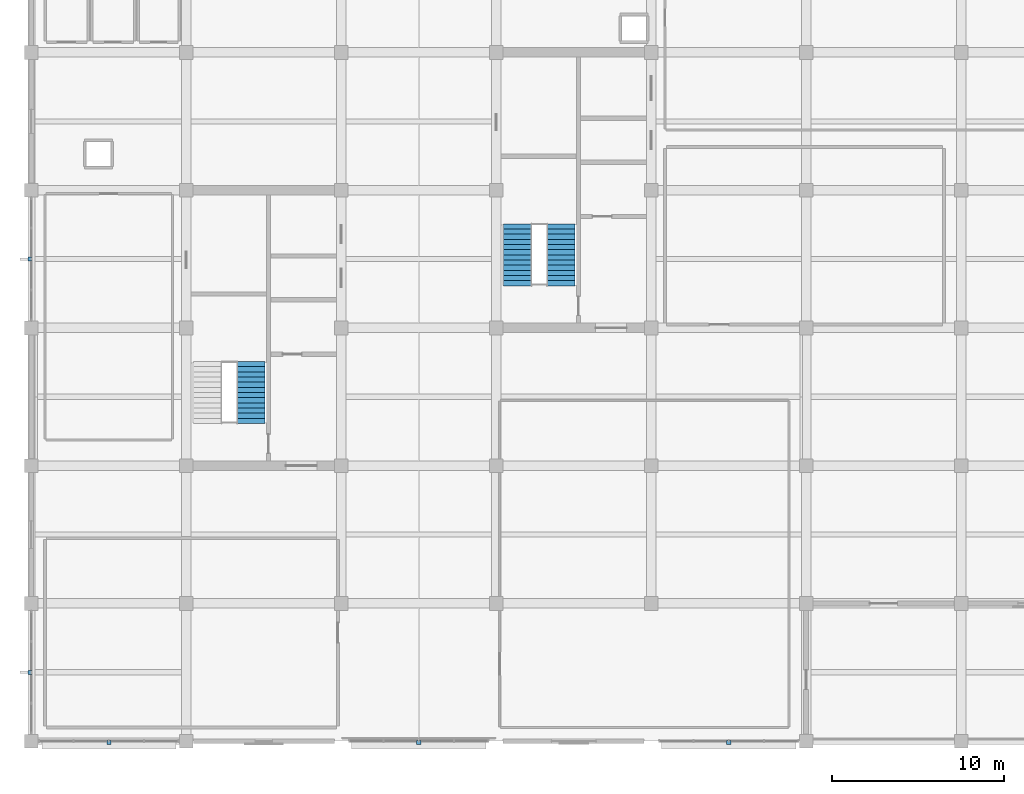
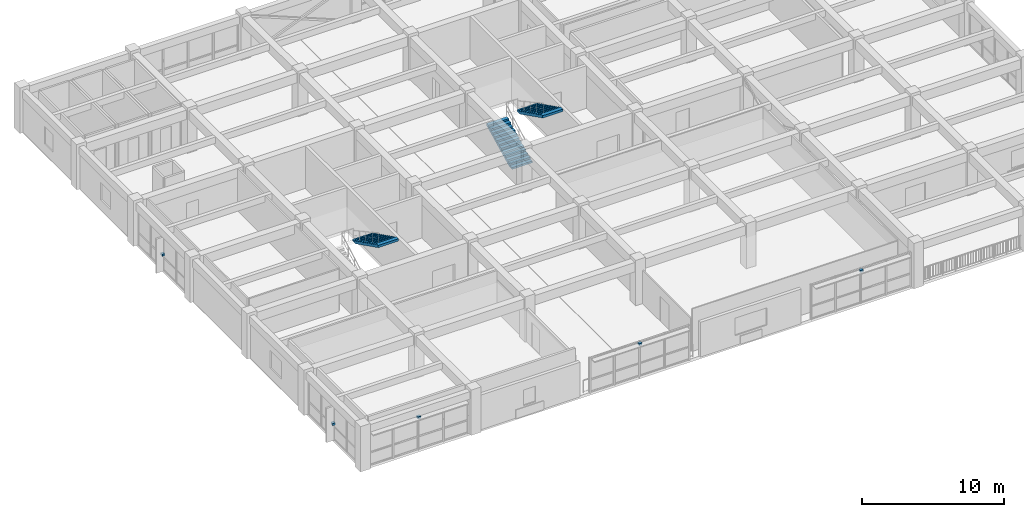
# One storey, part 15 of 17: 5 discrete accessories, 3 stair flights, 2 elements without a shape of their own.
"""IFC4 building model written with IfcOpenShell, lengths in metres."""

import ifcopenshell
import ifcopenshell.guid

model = None  # the IFC model being written
_history = None  # IfcOwnerHistory: only IFC2X3 demands one
_inside = {}  # id of a spatial element -> (the spatial element, [elements in it])
_under = {}  # id of a project, library or spatial element -> (it, [spatial elements below it])
_declared = {}  # id of a project -> (the project, [libraries it declares])
_typed = {}  # id of a type object -> (the type object, [elements of that type])
_made_of = {}  # id of a material, layer set ... -> (it, [elements and type objects made of it])


def new_model(schema):
    """Start an empty IFC model of exactly this schema.

    Asked for "IFC4X3", IfcOpenShell would pick the latest addendum, in which some entities
    have other attributes; the version numbers below select the first issue.
    IFC2X3 requires an IfcOwnerHistory on every rooted entity: one is made here for all.
    """
    global model, _history
    if schema == "IFC4X3":
        model = ifcopenshell.file(schema_version=(4, 3, 0, 0))
    else:
        model = ifcopenshell.file(schema=schema)
    _inside.clear()
    _under.clear()
    _declared.clear()
    _typed.clear()
    _made_of.clear()
    _history = None
    if model.schema == "IFC2X3":
        org = make("IfcOrganization", Name="unknown")
        user = make(
            "IfcPersonAndOrganization",
            ThePerson=make("IfcPerson", FamilyName="unknown"),
            TheOrganization=org,
        )
        app = make(
            "IfcApplication",
            ApplicationDeveloper=org,
            Version="unknown",
            ApplicationFullName="unknown",
            ApplicationIdentifier="unknown",
        )
        _history = make(
            "IfcOwnerHistory",
            OwningUser=user,
            OwningApplication=app,
            ChangeAction="ADDED",
            CreationDate=0,
        )
    return model


def make(cls, **values):
    """One entity of the class cls with the attributes given. An attribute that is None is left unset."""
    return model.create_entity(
        cls, **{name: value for name, value in values.items() if value is not None}
    )


def rooted(cls, **values):
    """An entity with a GlobalId (a new one), such as an element, a storey or a relation."""
    return make(cls, GlobalId=ifcopenshell.guid.new(), OwnerHistory=_history, **values)


def si_unit(unit_type, name, prefix=None):
    """IfcSIUnit, for example si_unit("LENGTHUNIT", "METRE", prefix="MILLI")."""
    return make("IfcSIUnit", UnitType=unit_type, Prefix=prefix, Name=name)


def assignment(units):
    """IfcUnitAssignment: the units of a project."""
    return None if units is None else make("IfcUnitAssignment", Units=units)


def point(xyz):
    """IfcCartesianPoint."""
    return None if xyz is None else make("IfcCartesianPoint", Coordinates=xyz)


def direction(xyz):
    """IfcDirection."""
    return None if xyz is None else make("IfcDirection", DirectionRatios=xyz)


def frame(location, z_axis=None, x_axis=None):
    """IfcAxis2Placement3D, a coordinate frame: its origin and axes. An axis left out is left unset."""
    return make(
        "IfcAxis2Placement3D",
        Location=point(location),
        Axis=direction(z_axis),
        RefDirection=direction(x_axis),
    )


def frame_2d(location, x_axis=None):
    """IfcAxis2Placement2D, a coordinate frame in the plane: its origin and x axis."""
    return make(
        "IfcAxis2Placement2D", Location=point(location), RefDirection=direction(x_axis)
    )


def origin():
    """The frame at (0, 0, 0) with its axes left unset."""
    return frame((0.0, 0.0, 0.0))


def origin_2d():
    """The frame at (0, 0) in the plane with its x axis left unset."""
    return frame_2d((0.0, 0.0))


def place(relative_to, where):
    """IfcLocalPlacement: puts the frame where relative to a parent placement (None: the world)."""
    return make(
        "IfcLocalPlacement", PlacementRelTo=relative_to, RelativePlacement=where
    )


def context(
    kind, dimensions, precision=None, world=None, true_north=None, identifier=None
):
    """IfcGeometricRepresentationContext, for example the 3D "Model" context."""
    return make(
        "IfcGeometricRepresentationContext",
        ContextIdentifier=identifier,
        ContextType=kind,
        CoordinateSpaceDimension=dimensions,
        Precision=precision,
        WorldCoordinateSystem=world,
        TrueNorth=true_north,
    )


def subcontext(parent, identifier, kind, view, scale=None):
    """IfcGeometricRepresentationSubContext, for example "Body" below "Model"."""
    return make(
        "IfcGeometricRepresentationSubContext",
        ContextIdentifier=identifier,
        ContextType=kind,
        ParentContext=parent,
        TargetScale=scale,
        TargetView=view,
    )


def project(units=None, contexts=None):
    """IfcProject with its units and contexts."""
    return rooted(
        "IfcProject",
        Name="project",
        RepresentationContexts=contexts,
        UnitsInContext=assignment(units),
    )


def spatial(cls, under=None, at=None, **own):
    """A site, building, storey or space (cls), placed at a placement, below another one or the project."""
    s = rooted(cls, ObjectPlacement=at, **own)
    if under is not None:
        _under.setdefault(under.id(), (under, []))[1].append(s)
    return s


def polyline(points):
    """IfcPolyline through the points."""
    return make("IfcPolyline", Points=[point(p) for p in points])


def profile(cls, at=None, kind="AREA", **sizes):
    """A parametric profile (cls). Its sizes go by their IFC names, for example OverallWidth=200.0."""
    return make(cls, ProfileType=kind, Position=at, **sizes)


def rectangle(**sizes):
    """IfcRectangleProfileDef."""
    return profile("IfcRectangleProfileDef", **sizes)


def outline(outer, holes=None, kind="AREA"):
    """IfcArbitraryClosedProfileDef: a profile drawn as a closed curve; with holes, ...WithVoids."""
    if holes is None:
        return make("IfcArbitraryClosedProfileDef", ProfileType=kind, OuterCurve=outer)
    return make(
        "IfcArbitraryProfileDefWithVoids",
        ProfileType=kind,
        OuterCurve=outer,
        InnerCurves=holes,
    )


def extrude(swept, where, along, depth):
    """IfcExtrudedAreaSolid: the profile swept, set in the frame where, extruded along a direction by depth."""
    return make(
        "IfcExtrudedAreaSolid",
        SweptArea=swept,
        Position=where,
        ExtrudedDirection=direction(along),
        Depth=depth,
    )


def shape(context_of_items, identifier, shape_type, items):
    """IfcShapeRepresentation: the items that make up one representation, for example the "Body"."""
    return make(
        "IfcShapeRepresentation",
        ContextOfItems=context_of_items,
        RepresentationIdentifier=identifier,
        RepresentationType=shape_type,
        Items=items,
    )


def material(Name=None, Category=None):
    """IfcMaterial."""
    return make("IfcMaterial", Name=Name, Category=Category)


def layer(
    of_material, thickness, ventilated=None, Name=None, Category=None, Priority=None
):
    """IfcMaterialLayer: one layer of a wall or slab, of a material (None: an air gap)."""
    return make(
        "IfcMaterialLayer",
        Material=of_material,
        LayerThickness=thickness,
        IsVentilated=ventilated,
        Name=Name,
        Category=Category,
        Priority=Priority,
    )


def layer_set(layers, Name=None):
    """IfcMaterialLayerSet."""
    return make("IfcMaterialLayerSet", MaterialLayers=layers, LayerSetName=Name)


def made_of(thing, what):
    """Note that an element or type object is made of a material, layer set ...; save() writes the relation."""
    if what is not None:
        _made_of.setdefault(what.id(), (what, []))[1].append(thing)
    return thing


def type_object(cls, material=None, **own):
    """A type object (cls), such as IfcWallType, which elements share."""
    return made_of(rooted(cls, **own), material)


def element(
    cls,
    number,
    at=None,
    inside=None,
    cuts=None,
    type_object=None,
    material=None,
    context=None,
    identifier="Body",
    shape_type=None,
    held_by="IfcProductDefinitionShape",
    body=None,
    shapes=None,
    **own,
):
    """One element of the class cls, such as IfcWall. Its Tag is "e" and its number.

    at: its placement. inside: the storey or other place that contains it. cuts: it is an
    opening in that element (IfcRelVoidsElement). A single representation is given by context,
    identifier, shape_type and body (its items); several are given by shapes. held_by: the class
    of the entity that holds the representations. save() writes the other relations.
    """
    e = rooted(cls, Tag="e%d" % number, ObjectPlacement=at, **own)
    if body is not None:
        shapes = [shape(context, identifier, shape_type, body)]
    if shapes is not None:
        e.Representation = make(held_by, Representations=shapes)
    if inside is not None:
        _inside.setdefault(inside.id(), (inside, []))[1].append(e)
    if cuts is not None:
        rooted(
            "IfcRelVoidsElement", RelatingBuildingElement=cuts, RelatedOpeningElement=e
        )
    if type_object is not None:
        _typed.setdefault(type_object.id(), (type_object, []))[1].append(e)
    return made_of(e, material)


def aggregate(whole, parts):
    """IfcRelAggregates: a whole, such as a stair, and the parts it consists of."""
    return rooted("IfcRelAggregates", RelatingObject=whole, RelatedObjects=parts)


def save(model, path):
    """Write the relations noted so far, then the file.

    IfcRelAggregates (storeys below a building ...), IfcRelContainedInSpatialStructure (elements
    in a storey), IfcRelDefinesByType, IfcRelAssociatesMaterial and IfcRelDeclares: one each for
    every whole, place, type object, material and project.
    """
    for whole, parts in _under.values():
        aggregate(whole, parts)
    for where, things in _inside.values():
        rooted(
            "IfcRelContainedInSpatialStructure",
            RelatedElements=things,
            RelatingStructure=where,
        )
    for kind, things in _typed.values():
        rooted("IfcRelDefinesByType", RelatedObjects=things, RelatingType=kind)
    for what, things in _made_of.values():
        rooted("IfcRelAssociatesMaterial", RelatedObjects=things, RelatingMaterial=what)
    for by, libraries in _declared.values():
        rooted("IfcRelDeclares", RelatingContext=by, RelatedDefinitions=libraries)
    model.write(path)


model = new_model("IFC4")

# Units and contexts
model_context = context("Model", 3, precision=1e-05, world=origin(), true_north=direction((0.0, 1.0)))
body_context = subcontext(model_context, "Body", "Model", "MODEL_VIEW")
ifc_project = project(units=[si_unit("LENGTHUNIT", "METRE"), si_unit("AREAUNIT", "SQUARE_METRE"), si_unit("VOLUMEUNIT", "CUBIC_METRE"), si_unit("PLANEANGLEUNIT", "RADIAN"), si_unit("MASSUNIT", "GRAM", prefix="KILO")], contexts=[model_context])

# Site, building, storey
site_placement = place(None, origin())
site = spatial("IfcSite", under=ifc_project, at=site_placement, CompositionType="ELEMENT")
building_placement = place(site_placement, origin())
building = spatial("IfcBuilding", under=site, at=building_placement, Name="Zaverband Oceanarium and Marine Research Institute", CompositionType="ELEMENT")
storey_placement = place(building_placement, frame((0.0, 0.0, 33.60009765625)))
storey = spatial("IfcBuildingStorey", under=building, at=storey_placement, Name="L08", CompositionType="ELEMENT", Elevation=33.60009765625)

# Stair, stair flight
ifc_material_1 = material(Name="Concrete C40/50", Category="concrete")
stair_type = type_object("IfcStairType", Name="STR-TWR-1650-3900", PredefinedType="HALF_TURN_STAIR", material=ifc_material_1)
stair_1_placement = place(storey_placement, origin())
stair_1 = element("IfcStair", 1, at=stair_1_placement, inside=storey, type_object=stair_type, Name="Exit Stair ST-01 (L08)", PredefinedType="HALF_TURN_STAIR")
stair_flight_type = type_object("IfcStairFlightType", Name="STR-TWR-1650-3900-FL", PredefinedType="STRAIGHT", material=ifc_material_1)
stair_flight_1_placement = place(storey_placement, frame((21.7451171875, 86.050048828125, 1.949951171875), z_axis=(0.0, 0.0, 1.0), x_axis=(0.0, -1.0, 0.0)))
stair_flight_1 = element("IfcStairFlight", 2, at=stair_flight_1_placement, type_object=stair_flight_type, Name="Reinforced concrete stair flight ST-01-F2", NumberOfRisers=13, NumberOfTreads=12, PredefinedType="STRAIGHT", RiserHeight=0.15, TreadLength=0.3, context=body_context, shape_type="SweptSolid", body=[
    extrude(outline(polyline([(0.0, 0.0), (0.0, 0.14990234375), (0.300048828125, 0.14990234375), (0.300048828125, 0.300048828125), (0.60009765625, 0.300048828125), (0.60009765625, 0.449951171875), (0.89990234375, 0.449951171875), (0.89990234375, 0.60009765625), (1.199951171875, 0.60009765625), (1.199951171875, 0.75), (1.5, 0.75), (1.5, 0.89990234375), (1.800048828125, 0.89990234375), (1.800048828125, 1.050048828125), (2.10009765625, 1.050048828125), (2.10009765625, 1.199951171875), (2.39990234375, 1.199951171875), (2.39990234375, 1.35009765625), (2.699951171875, 1.35009765625), (2.699951171875, 1.5), (3.0, 1.5), (3.0, 1.64990234375), (3.300048828125, 1.64990234375), (3.300048828125, 1.800048828125), (3.60009765625, 1.800048828125), (3.60009765625, 1.949951171875), (3.60009765625, 1.598876953125), (0.40234375, 0.0), (0.0, 0.0)])), frame((0.0, 0.824951171875, 0.0), z_axis=(0.0, -1.0, 0.0), x_axis=(1.0, 0.0, 0.0)), (0.0, 0.0, 1.0), 1.64990234375),
])
aggregate(stair_1, [stair_flight_1])

# Stair, stair flights
stair_2_placement = place(storey_placement, origin())
stair_2 = element("IfcStair", 3, at=stair_2_placement, inside=storey, type_object=stair_type, Name="Exit Stair ST-02 (L08)", PredefinedType="HALF_TURN_STAIR")
stair_flight_2_placement = place(storey_placement, frame((37.2548828125, 90.449951171875, 0.0), z_axis=(0.0, 0.0, 1.0), x_axis=(0.0, 1.0, 0.0)))
stair_flight_2 = element("IfcStairFlight", 4, at=stair_flight_2_placement, type_object=stair_flight_type, Name="Reinforced concrete stair flight ST-02-F1", NumberOfRisers=13, NumberOfTreads=12, PredefinedType="STRAIGHT", RiserHeight=0.15, TreadLength=0.3, context=body_context, shape_type="SweptSolid", body=[
    extrude(outline(polyline([(0.0, 0.0), (0.0, 0.14990234375), (0.300048828125, 0.14990234375), (0.300048828125, 0.300048828125), (0.60009765625, 0.300048828125), (0.60009765625, 0.449951171875), (0.89990234375, 0.449951171875), (0.89990234375, 0.60009765625), (1.199951171875, 0.60009765625), (1.199951171875, 0.75), (1.5, 0.75), (1.5, 0.89990234375), (1.800048828125, 0.89990234375), (1.800048828125, 1.050048828125), (2.10009765625, 1.050048828125), (2.10009765625, 1.199951171875), (2.39990234375, 1.199951171875), (2.39990234375, 1.35009765625), (2.699951171875, 1.35009765625), (2.699951171875, 1.5), (3.0, 1.5), (3.0, 1.64990234375), (3.300048828125, 1.64990234375), (3.300048828125, 1.800048828125), (3.60009765625, 1.800048828125), (3.60009765625, 1.949951171875), (3.60009765625, 1.598876953125), (0.40234375, 0.0), (0.0, 0.0)])), frame((0.0, 0.824951171875, 0.0), z_axis=(0.0, -1.0, 0.0), x_axis=(1.0, 0.0, 0.0)), (0.0, 0.0, 1.0), 1.64990234375),
])
stair_flight_3_placement = place(storey_placement, frame((39.7451171875, 94.050048828125, 1.949951171875), z_axis=(0.0, 0.0, 1.0), x_axis=(0.0, -1.0, 0.0)))
stair_flight_3 = element("IfcStairFlight", 5, at=stair_flight_3_placement, type_object=stair_flight_type, Name="Reinforced concrete stair flight ST-02-F2", NumberOfRisers=13, NumberOfTreads=12, PredefinedType="STRAIGHT", RiserHeight=0.15, TreadLength=0.3, context=body_context, shape_type="SweptSolid", body=[
    extrude(outline(polyline([(0.0, 0.0), (0.0, 0.14990234375), (0.300048828125, 0.14990234375), (0.300048828125, 0.300048828125), (0.60009765625, 0.300048828125), (0.60009765625, 0.449951171875), (0.89990234375, 0.449951171875), (0.89990234375, 0.60009765625), (1.199951171875, 0.60009765625), (1.199951171875, 0.75), (1.5, 0.75), (1.5, 0.89990234375), (1.800048828125, 0.89990234375), (1.800048828125, 1.050048828125), (2.10009765625, 1.050048828125), (2.10009765625, 1.199951171875), (2.39990234375, 1.199951171875), (2.39990234375, 1.35009765625), (2.699951171875, 1.35009765625), (2.699951171875, 1.5), (3.0, 1.5), (3.0, 1.64990234375), (3.300048828125, 1.64990234375), (3.300048828125, 1.800048828125), (3.60009765625, 1.800048828125), (3.60009765625, 1.949951171875), (3.60009765625, 1.598876953125), (0.40234375, 0.0), (0.0, 0.0)])), frame((0.0, 0.824951171875, 0.0), z_axis=(0.0, -1.0, 0.0), x_axis=(1.0, 0.0, 0.0)), (0.0, 0.0, 1.0), 1.64990234375),
])
aggregate(stair_2, [stair_flight_2, stair_flight_3])

# Discrete accessories
ifc_material_2 = material(Name="Steel S355", Category="steel")
ifc_layer = layer(ifc_material_2, 0.179931640625, Name="Steel S355")
ifc_layer_set = layer_set([ifc_layer], Name="Steel S355")
discrete_accessory_type = type_object("IfcDiscreteAccessoryType", Name="BRK-STL-200", PredefinedType="BRACKET", material=ifc_layer_set)
for number, where, z_axis, x_axis, name in (
    (6, (13.5, 63.919921875, 2.75), (0.0, 0.0, 1.0), (1.0, 0.0, 0.0), "Galvanized steel facade fin structural bracket BRK-STL-200"),
    (7, (31.5, 63.919921875, 2.75), (0.0, 0.0, 1.0), (1.0, 0.0, 0.0), "Galvanized steel facade fin structural bracket BRK-STL-200"),
    (8, (49.5, 63.919921875, 2.75), (0.0, 0.0, 1.0), (1.0, 0.0, 0.0), "Galvanized steel facade fin structural bracket BRK-STL-200"),
    (9, (8.919921875, 68.0, 1.31982421875), (0.0, 0.0, 1.0), (1.0, 0.0, 0.0), "Galvanized steel facade fin structural bracket BRK-STL-200"),
    (10, (8.919921875, 92.0, 1.31982421875), (0.0, 0.0, 1.0), (1.0, 0.0, 0.0), "Galvanized steel facade fin structural bracket BRK-STL-200"),
):
    element("IfcDiscreteAccessory", number, at=place(storey_placement, frame(where, z_axis=z_axis, x_axis=x_axis)), inside=storey, type_object=discrete_accessory_type, Name=name, PredefinedType="BRACKET", context=body_context, shape_type="SweptSolid", body=[
        extrude(rectangle(XDim=0.239990234375, YDim=0.239990234375, at=origin_2d()), origin(), (0.0, 0.0, 1.0), 0.179931640625),
    ])

save(model, "model.ifc")
